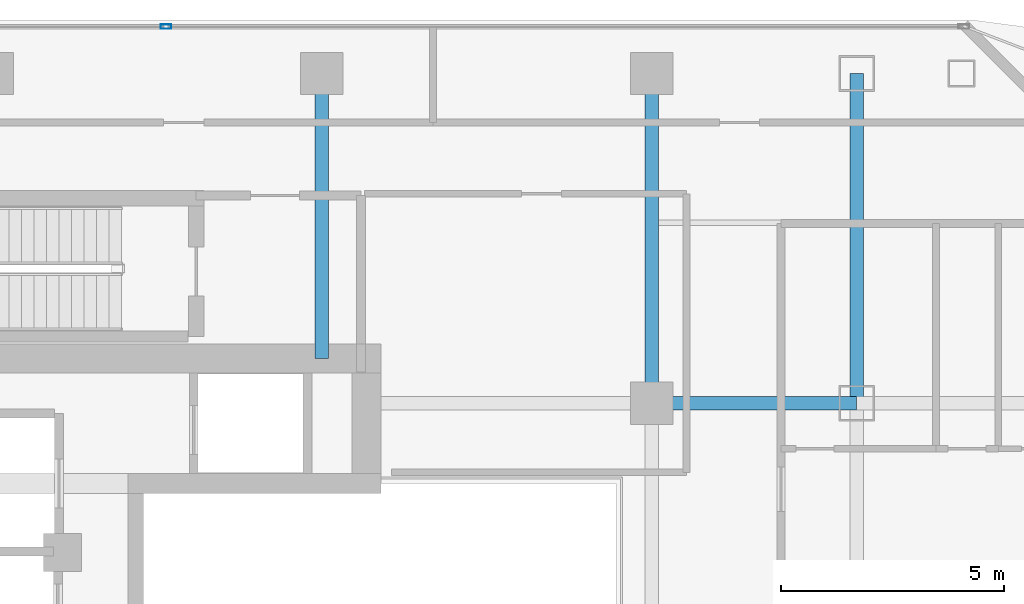
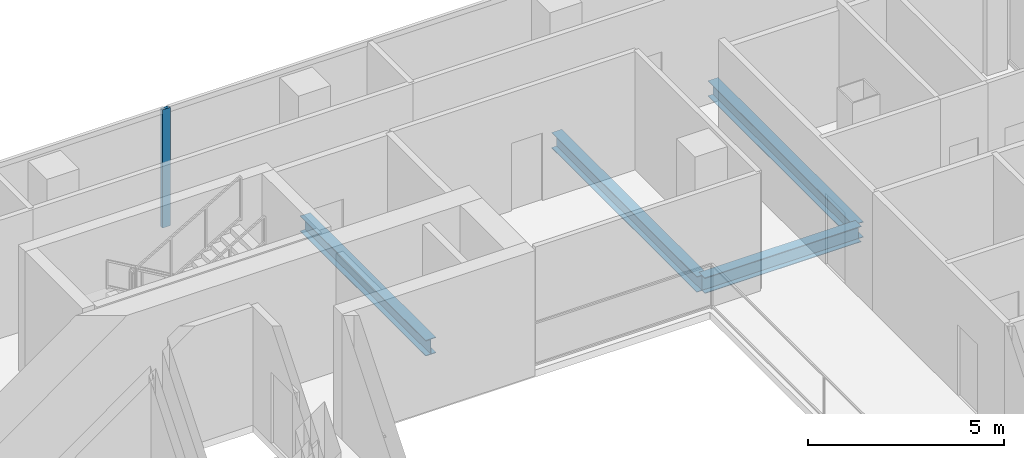
# One storey, part 15 of 27: 4 beams, 1 member, 1 element without a shape of its own.
"""IFC4 building model written with IfcOpenShell, lengths in metres."""

import ifcopenshell
import ifcopenshell.guid

model = None  # the IFC model being written
_history = None  # IfcOwnerHistory: only IFC2X3 demands one
_inside = {}  # id of a spatial element -> (the spatial element, [elements in it])
_under = {}  # id of a project, library or spatial element -> (it, [spatial elements below it])
_declared = {}  # id of a project -> (the project, [libraries it declares])
_typed = {}  # id of a type object -> (the type object, [elements of that type])
_made_of = {}  # id of a material, layer set ... -> (it, [elements and type objects made of it])


def new_model(schema):
    """Start an empty IFC model of exactly this schema.

    Asked for "IFC4X3", IfcOpenShell would pick the latest addendum, in which some entities
    have other attributes; the version numbers below select the first issue.
    IFC2X3 requires an IfcOwnerHistory on every rooted entity: one is made here for all.
    """
    global model, _history
    if schema == "IFC4X3":
        model = ifcopenshell.file(schema_version=(4, 3, 0, 0))
    else:
        model = ifcopenshell.file(schema=schema)
    _inside.clear()
    _under.clear()
    _declared.clear()
    _typed.clear()
    _made_of.clear()
    _history = None
    if model.schema == "IFC2X3":
        org = make("IfcOrganization", Name="unknown")
        user = make(
            "IfcPersonAndOrganization",
            ThePerson=make("IfcPerson", FamilyName="unknown"),
            TheOrganization=org,
        )
        app = make(
            "IfcApplication",
            ApplicationDeveloper=org,
            Version="unknown",
            ApplicationFullName="unknown",
            ApplicationIdentifier="unknown",
        )
        _history = make(
            "IfcOwnerHistory",
            OwningUser=user,
            OwningApplication=app,
            ChangeAction="ADDED",
            CreationDate=0,
        )
    return model


def make(cls, **values):
    """One entity of the class cls with the attributes given. An attribute that is None is left unset."""
    return model.create_entity(
        cls, **{name: value for name, value in values.items() if value is not None}
    )


def rooted(cls, **values):
    """An entity with a GlobalId (a new one), such as an element, a storey or a relation."""
    return make(cls, GlobalId=ifcopenshell.guid.new(), OwnerHistory=_history, **values)


def si_unit(unit_type, name, prefix=None):
    """IfcSIUnit, for example si_unit("LENGTHUNIT", "METRE", prefix="MILLI")."""
    return make("IfcSIUnit", UnitType=unit_type, Prefix=prefix, Name=name)


def assignment(units):
    """IfcUnitAssignment: the units of a project."""
    return None if units is None else make("IfcUnitAssignment", Units=units)


def point(xyz):
    """IfcCartesianPoint."""
    return None if xyz is None else make("IfcCartesianPoint", Coordinates=xyz)


def direction(xyz):
    """IfcDirection."""
    return None if xyz is None else make("IfcDirection", DirectionRatios=xyz)


def frame(location, z_axis=None, x_axis=None):
    """IfcAxis2Placement3D, a coordinate frame: its origin and axes. An axis left out is left unset."""
    return make(
        "IfcAxis2Placement3D",
        Location=point(location),
        Axis=direction(z_axis),
        RefDirection=direction(x_axis),
    )


def frame_2d(location, x_axis=None):
    """IfcAxis2Placement2D, a coordinate frame in the plane: its origin and x axis."""
    return make(
        "IfcAxis2Placement2D", Location=point(location), RefDirection=direction(x_axis)
    )


def origin():
    """The frame at (0, 0, 0) with its axes left unset."""
    return frame((0.0, 0.0, 0.0))


def origin_2d():
    """The frame at (0, 0) in the plane with its x axis left unset."""
    return frame_2d((0.0, 0.0))


def place(relative_to, where):
    """IfcLocalPlacement: puts the frame where relative to a parent placement (None: the world)."""
    return make(
        "IfcLocalPlacement", PlacementRelTo=relative_to, RelativePlacement=where
    )


def context(
    kind, dimensions, precision=None, world=None, true_north=None, identifier=None
):
    """IfcGeometricRepresentationContext, for example the 3D "Model" context."""
    return make(
        "IfcGeometricRepresentationContext",
        ContextIdentifier=identifier,
        ContextType=kind,
        CoordinateSpaceDimension=dimensions,
        Precision=precision,
        WorldCoordinateSystem=world,
        TrueNorth=true_north,
    )


def subcontext(parent, identifier, kind, view, scale=None):
    """IfcGeometricRepresentationSubContext, for example "Body" below "Model"."""
    return make(
        "IfcGeometricRepresentationSubContext",
        ContextIdentifier=identifier,
        ContextType=kind,
        ParentContext=parent,
        TargetScale=scale,
        TargetView=view,
    )


def project(units=None, contexts=None):
    """IfcProject with its units and contexts."""
    return rooted(
        "IfcProject",
        Name="project",
        RepresentationContexts=contexts,
        UnitsInContext=assignment(units),
    )


def spatial(cls, under=None, at=None, **own):
    """A site, building, storey or space (cls), placed at a placement, below another one or the project."""
    s = rooted(cls, ObjectPlacement=at, **own)
    if under is not None:
        _under.setdefault(under.id(), (under, []))[1].append(s)
    return s


def profile(cls, at=None, kind="AREA", **sizes):
    """A parametric profile (cls). Its sizes go by their IFC names, for example OverallWidth=200.0."""
    return make(cls, ProfileType=kind, Position=at, **sizes)


def hollow_rectangle(**sizes):
    """IfcRectangleHollowProfileDef."""
    return profile("IfcRectangleHollowProfileDef", **sizes)


def i_section(**sizes):
    """IfcIShapeProfileDef."""
    return profile("IfcIShapeProfileDef", **sizes)


def extrude(swept, where, along, depth):
    """IfcExtrudedAreaSolid: the profile swept, set in the frame where, extruded along a direction by depth."""
    return make(
        "IfcExtrudedAreaSolid",
        SweptArea=swept,
        Position=where,
        ExtrudedDirection=direction(along),
        Depth=depth,
    )


def shape(context_of_items, identifier, shape_type, items):
    """IfcShapeRepresentation: the items that make up one representation, for example the "Body"."""
    return make(
        "IfcShapeRepresentation",
        ContextOfItems=context_of_items,
        RepresentationIdentifier=identifier,
        RepresentationType=shape_type,
        Items=items,
    )


def material(Name=None, Category=None):
    """IfcMaterial."""
    return make("IfcMaterial", Name=Name, Category=Category)


def layer(
    of_material, thickness, ventilated=None, Name=None, Category=None, Priority=None
):
    """IfcMaterialLayer: one layer of a wall or slab, of a material (None: an air gap)."""
    return make(
        "IfcMaterialLayer",
        Material=of_material,
        LayerThickness=thickness,
        IsVentilated=ventilated,
        Name=Name,
        Category=Category,
        Priority=Priority,
    )


def layer_set(layers, Name=None):
    """IfcMaterialLayerSet."""
    return make("IfcMaterialLayerSet", MaterialLayers=layers, LayerSetName=Name)


def material_profile(
    of_material, cross_section, Name=None, Category=None, Priority=None
):
    """IfcMaterialProfile: a cross section and its material."""
    return make(
        "IfcMaterialProfile",
        Name=Name,
        Material=of_material,
        Profile=cross_section,
        Priority=Priority,
        Category=Category,
    )


def profile_set(profiles, Name=None, composite=None):
    """IfcMaterialProfileSet."""
    return make(
        "IfcMaterialProfileSet",
        Name=Name,
        MaterialProfiles=profiles,
        CompositeProfile=composite,
    )


def made_of(thing, what):
    """Note that an element or type object is made of a material, layer set ...; save() writes the relation."""
    if what is not None:
        _made_of.setdefault(what.id(), (what, []))[1].append(thing)
    return thing


def type_object(cls, material=None, **own):
    """A type object (cls), such as IfcWallType, which elements share."""
    return made_of(rooted(cls, **own), material)


def element(
    cls,
    number,
    at=None,
    inside=None,
    cuts=None,
    type_object=None,
    material=None,
    context=None,
    identifier="Body",
    shape_type=None,
    held_by="IfcProductDefinitionShape",
    body=None,
    shapes=None,
    **own,
):
    """One element of the class cls, such as IfcWall. Its Tag is "e" and its number.

    at: its placement. inside: the storey or other place that contains it. cuts: it is an
    opening in that element (IfcRelVoidsElement). A single representation is given by context,
    identifier, shape_type and body (its items); several are given by shapes. held_by: the class
    of the entity that holds the representations. save() writes the other relations.
    """
    e = rooted(cls, Tag="e%d" % number, ObjectPlacement=at, **own)
    if body is not None:
        shapes = [shape(context, identifier, shape_type, body)]
    if shapes is not None:
        e.Representation = make(held_by, Representations=shapes)
    if inside is not None:
        _inside.setdefault(inside.id(), (inside, []))[1].append(e)
    if cuts is not None:
        rooted(
            "IfcRelVoidsElement", RelatingBuildingElement=cuts, RelatedOpeningElement=e
        )
    if type_object is not None:
        _typed.setdefault(type_object.id(), (type_object, []))[1].append(e)
    return made_of(e, material)


def aggregate(whole, parts):
    """IfcRelAggregates: a whole, such as a stair, and the parts it consists of."""
    return rooted("IfcRelAggregates", RelatingObject=whole, RelatedObjects=parts)


def save(model, path):
    """Write the relations noted so far, then the file.

    IfcRelAggregates (storeys below a building ...), IfcRelContainedInSpatialStructure (elements
    in a storey), IfcRelDefinesByType, IfcRelAssociatesMaterial and IfcRelDeclares: one each for
    every whole, place, type object, material and project.
    """
    for whole, parts in _under.values():
        aggregate(whole, parts)
    for where, things in _inside.values():
        rooted(
            "IfcRelContainedInSpatialStructure",
            RelatedElements=things,
            RelatingStructure=where,
        )
    for kind, things in _typed.values():
        rooted("IfcRelDefinesByType", RelatedObjects=things, RelatingType=kind)
    for what, things in _made_of.values():
        rooted("IfcRelAssociatesMaterial", RelatedObjects=things, RelatingMaterial=what)
    for by, libraries in _declared.values():
        rooted("IfcRelDeclares", RelatingContext=by, RelatedDefinitions=libraries)
    model.write(path)


model = new_model("IFC4")

# Units and contexts
model_context = context("Model", 3, precision=1e-05, world=origin(), true_north=direction((0.0, 1.0)))
body_context = subcontext(model_context, "Body", "Model", "MODEL_VIEW")
ifc_project = project(units=[si_unit("LENGTHUNIT", "METRE"), si_unit("AREAUNIT", "SQUARE_METRE"), si_unit("VOLUMEUNIT", "CUBIC_METRE"), si_unit("PLANEANGLEUNIT", "RADIAN"), si_unit("MASSUNIT", "GRAM", prefix="KILO")], contexts=[model_context])

# Site, building, storey
site_placement = place(None, origin())
site = spatial("IfcSite", under=ifc_project, at=site_placement, CompositionType="ELEMENT")
building_placement = place(site_placement, origin())
building = spatial("IfcBuilding", under=site, at=building_placement, Name="Khorvyn Point Tower", CompositionType="ELEMENT")
storey_placement = place(building_placement, frame((0.0, 0.0, 246.89990234375)))
storey = spatial("IfcBuildingStorey", under=building, at=storey_placement, Name="L60", CompositionType="ELEMENT", Elevation=246.89990234375)

# Curtain wall, member
ifc_material_1 = material(Name="Anodised aluminium 6063-T6 and laminated Low-E glass", Category="aluminium")
ifc_layer = layer(ifc_material_1, 0.18994140625)
ifc_layer_set = layer_set([ifc_layer], Name="Stick-Built Acoustic Curtain Wall CW-SYS-03")
curtain_wall_type = type_object("IfcCurtainWallType", Name="Stick-Built Acoustic Curtain Wall CW-SYS-03", PredefinedType="NOTDEFINED", material=ifc_layer_set)
curtain_wall_placement = place(storey_placement, origin())
curtain_wall = element("IfcCurtainWall", 1, at=curtain_wall_placement, inside=storey, type_object=curtain_wall_type, Name="Curtain Wall", PredefinedType="NOTDEFINED")
ifc_material_2 = material(Name="Anodised aluminium 6063-T6", Category="aluminium")
ifc_material_profile_1 = material_profile(ifc_material_2, hollow_rectangle(XDim=0.10009765625, YDim=0.239990234375, WallThickness=0.0048828125, at=origin_2d()))
ifc_profile_set_1 = profile_set([ifc_material_profile_1], Name="Anodised aluminium 6063-T6 ALU-MUL-100x240")
member_type = type_object("IfcMemberType", Name="Anodised Aluminium 6063-T6 Mullion ALU-MUL-100x240", PredefinedType="MULLION", material=ifc_profile_set_1)
member_placement = place(storey_placement, frame((3.89990234375, 15.85009765625, 0.0), z_axis=(0.0, 0.0, 1.0), x_axis=(0.0, 1.0, 0.0)))
member = element("IfcMember", 2, at=member_placement, type_object=member_type, Name="Transom", PredefinedType="MULLION", context=body_context, shape_type="SweptSolid", body=[
    extrude(hollow_rectangle(XDim=0.10009765625, YDim=0.239990234375, WallThickness=0.0048828125, at=origin_2d()), origin(), (0.0, 0.0, 1.0), 3.68017578125),
])
aggregate(curtain_wall, [member])

# Beams
ifc_material_3 = material(Name="Steel S355", Category="steel")
ifc_material_profile_2 = material_profile(ifc_material_3, i_section(OverallWidth=0.300048828125, OverallDepth=0.488037109375, WebThickness=0.010986328125, FlangeThickness=0.01806640625, at=origin_2d()))
ifc_profile_set_2 = profile_set([ifc_material_profile_2], Name="Steel S355 H488x300x11x18")
beam_type = type_object("IfcBeamType", Name="Steel S355 Spandrel H488x300x11x18", PredefinedType="SPANDREL", material=ifc_profile_set_2)
beam_1_placement = place(storey_placement, frame((14.800048828125, 7.39990234375, -0.4638671875), z_axis=(1.0, 0.0, 0.0), x_axis=(0.0, 1.0, 0.0)))
element("IfcBeam", 3, at=beam_1_placement, inside=storey, type_object=beam_type, Name="Beam", PredefinedType="SPANDREL", context=body_context, shape_type="SweptSolid", body=[
    extrude(i_section(OverallWidth=0.300048828125, OverallDepth=0.488037109375, WebThickness=0.010986328125, FlangeThickness=0.01806640625, at=origin_2d()), origin(), (0.0, 0.0, 1.0), 4.599853515625),
])
beam_2_placement = place(storey_placement, frame((14.800048828125, 7.39990234375, -0.4638671875), z_axis=(0.0, 1.0, 0.0), x_axis=(-1.0, 0.0, 0.0)))
element("IfcBeam", 4, at=beam_2_placement, inside=storey, type_object=beam_type, Name="Beam", PredefinedType="SPANDREL", context=body_context, shape_type="SweptSolid", body=[
    extrude(i_section(OverallWidth=0.300048828125, OverallDepth=0.488037109375, WebThickness=0.010986328125, FlangeThickness=0.01806640625, at=origin_2d()), origin(), (0.0, 0.0, 1.0), 7.400146484375),
])
beam_3_placement = place(storey_placement, frame((7.39990234375, 8.39990234375, -0.4638671875), z_axis=(0.0, 1.0, 0.0), x_axis=(-1.0, 0.0, 0.0)))
element("IfcBeam", 5, at=beam_3_placement, inside=storey, type_object=beam_type, Name="Beam", PredefinedType="SPANDREL", context=body_context, shape_type="SweptSolid", body=[
    extrude(i_section(OverallWidth=0.300048828125, OverallDepth=0.488037109375, WebThickness=0.010986328125, FlangeThickness=0.01806640625, at=origin_2d()), origin(), (0.0, 0.0, 1.0), 6.400146484375),
])
beam_4_placement = place(storey_placement, frame((19.39990234375, 7.39990234375, -0.4638671875), z_axis=(0.0, 1.0, 0.0), x_axis=(-1.0, 0.0, 0.0)))
element("IfcBeam", 6, at=beam_4_placement, inside=storey, type_object=beam_type, Name="Beam", PredefinedType="SPANDREL", context=body_context, shape_type="SweptSolid", body=[
    extrude(i_section(OverallWidth=0.300048828125, OverallDepth=0.488037109375, WebThickness=0.010986328125, FlangeThickness=0.01806640625, at=origin_2d()), origin(), (0.0, 0.0, 1.0), 7.400146484375),
])

save(model, "model.ifc")
